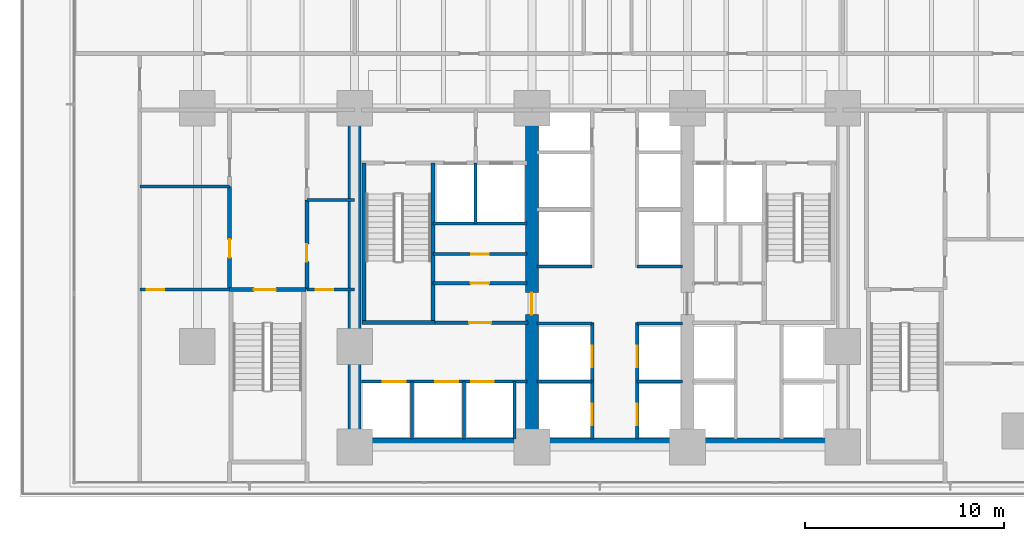
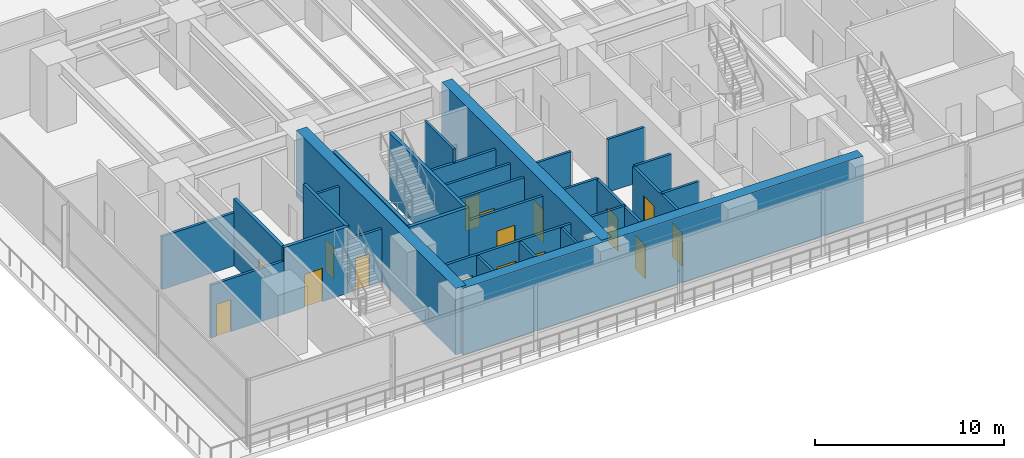
# One storey, part 10 of 26: 30 walls, 16 doors, 16 openings.
"""IFC4 building model written with IfcOpenShell, lengths in metres."""

from ifc_helpers import new_model, si_unit, direction, frame, frame_2d, origin, place, context, subcontext, project, spatial, rectangle, extrude, material, layer, layer_set, type_object, element, fill, save


model = new_model("IFC4")

# Units and contexts
model_context = context("Model", 3, precision=1e-05, world=origin(), true_north=direction((0.0, 1.0)))
body_context = subcontext(model_context, "Body", "Model", "MODEL_VIEW")
ifc_project = project(units=[si_unit("LENGTHUNIT", "METRE"), si_unit("AREAUNIT", "SQUARE_METRE"), si_unit("VOLUMEUNIT", "CUBIC_METRE"), si_unit("PLANEANGLEUNIT", "RADIAN"), si_unit("MASSUNIT", "GRAM", prefix="KILO")], contexts=[model_context])

# Site, building, storey
site_placement = place(None, origin())
site = spatial("IfcSite", under=ifc_project, at=site_placement, CompositionType="ELEMENT")
building_placement = place(site_placement, origin())
building = spatial("IfcBuilding", under=site, at=building_placement, Name="Qalmaran Belvedere Hotel", CompositionType="ELEMENT")
storey_placement = place(building_placement, frame((0.0, 0.0, 19.199951171875)))
storey = spatial("IfcBuildingStorey", under=building, at=storey_placement, Name="L04", CompositionType="ELEMENT", Elevation=19.199951171875)

# Walls
ifc_material_1 = material(Name="Concrete C60/75", Category="concrete")
ifc_layer_1 = layer(ifc_material_1, 0.64990234375, Name="Concrete C60/75")
ifc_layer_set_1 = layer_set([ifc_layer_1], Name="Concrete C60/75")
wall_type_1 = type_object("IfcWallType", Name="WL-CORE-650-C60", PredefinedType="SHEAR", material=ifc_layer_set_1)
wall_1_placement = place(storey_placement, frame((20.300048828125, 3.6298828125, 0.0), z_axis=(0.0, 0.0, 1.0), x_axis=(1.0, 0.0, 0.0)))
element("IfcWall", 1, at=wall_1_placement, inside=storey, type_object=wall_type_1, Name="L04 South Core Shear Wall", PredefinedType="SHEAR", context=body_context, shape_type="SweptSolid", body=[
    extrude(rectangle(XDim=24.5, YDim=0.64990234375, at=frame_2d((12.25, 0.0))), origin(), (0.0, 0.0, 1.0), 4.300048828125),
])
wall_2_placement = place(storey_placement, frame((20.300048828125, 3.5, 0.0), z_axis=(0.0, 0.0, 1.0), x_axis=(0.0, 1.0, 0.0)))
element("IfcWall", 2, at=wall_2_placement, inside=storey, type_object=wall_type_1, Name="L04 West Core Shear Wall", PredefinedType="SHEAR", context=body_context, shape_type="SweptSolid", body=[
    extrude(rectangle(XDim=16.89990234375, YDim=0.64990234375, at=frame_2d((8.449951171875, 0.0))), origin(), (0.0, 0.0, 1.0), 4.300048828125),
])

# Wall, opening, door
wall_3_placement = place(storey_placement, frame((29.199951171875, 3.5, 0.0), z_axis=(0.0, 0.0, 1.0), x_axis=(0.0, 1.0, 0.0)))
wall_3 = element("IfcWall", 3, at=wall_3_placement, inside=storey, type_object=wall_type_1, Name="L04 Core West Spine Shear Wall", PredefinedType="SHEAR", context=body_context, shape_type="SweptSolid", body=[
    extrude(rectangle(XDim=16.89990234375, YDim=0.64990234375, at=frame_2d((8.449951171875, 0.0))), origin(), (0.0, 0.0, 1.0), 4.300048828125),
])
opening_1_placement = place(wall_3_placement, frame((7.75, 0.0, 0.0), z_axis=(0.0, 0.0, 1.0), x_axis=(-1.0, 0.0, 0.0)))
opening_1 = element("IfcOpeningElement", 4, at=opening_1_placement, cuts=wall_3, Name="Opening FD90", PredefinedType="OPENING", context=body_context, shape_type="SweptSolid", body=[
    extrude(rectangle(XDim=1.10009765625, YDim=2.14990234375, at=frame_2d((0.550048828125, 1.074951171875))), frame((0.0, 0.3349609375, 0.0), z_axis=(0.0, -1.0, 0.0), x_axis=(1.0, 0.0, 0.0)), (0.0, 0.0, 1.0), 0.669921875),
])
ifc_material_2 = material(Name="Steel S355JR", Category="steel")
door_type_1 = type_object("IfcDoorType", Name="DR-FD90-1100X2150", OperationType="NOTDEFINED", PredefinedType="DOOR", material=ifc_material_2)
door_1_placement = place(opening_1_placement, origin())
door_1 = element("IfcDoor", 5, at=door_1_placement, inside=storey, type_object=door_type_1, Name="L04 Core West Cross-Lobby Door", OperationType="SINGLE_SWING_RIGHT", OverallHeight=2.14990234375, OverallWidth=1.10009765625, PredefinedType="DOOR", context=body_context, shape_type="SweptSolid", body=[
    extrude(rectangle(XDim=1.10009765625, YDim=2.14990234375, at=frame_2d((0.550048828125, 1.074951171875))), frame((0.0, 0.02490234375, 0.0), z_axis=(0.0, -1.0, 0.0), x_axis=(1.0, 0.0, 0.0)), (0.0, 0.0, 1.0), 0.050048828125),
])
fill(opening_1, door_1)

# Walls
ifc_material_3 = material(Name="Gypsum Stud Partition")
ifc_layer_2 = layer(ifc_material_3, 0.139892578125, Name="Gypsum Stud Partition")
ifc_layer_set_2 = layer_set([ifc_layer_2], Name="Gypsum Stud Partition")
wall_type_2 = type_object("IfcWallType", Name="WL-INT-140-NR", PredefinedType="PARTITIONING", material=ifc_layer_set_2)
wall_4_placement = place(storey_placement, frame((17.89990234375, 15.89990234375, 0.0), z_axis=(0.0, 0.0, 1.0), x_axis=(1.0, 0.0, 0.0)))
element("IfcWall", 6, at=wall_4_placement, inside=storey, type_object=wall_type_2, Name="L04 Partition WL-L04-SFGH2", PredefinedType="PARTITIONING", context=body_context, shape_type="SweptSolid", body=[
    extrude(rectangle(XDim=2.400146484375, YDim=0.139892578125, at=frame_2d((1.2001953125, 0.0))), origin(), (0.0, 0.0, 1.0), 3.429931640625),
])
ifc_layer_3 = layer(ifc_material_3, 0.14990234375, Name="Gypsum Stud Partition")
ifc_layer_set_3 = layer_set([ifc_layer_3], Name="Gypsum Stud Partition")
wall_type_3 = type_object("IfcWallType", Name="WL-INT-150-EI120", PredefinedType="PARTITIONING", material=ifc_layer_set_3)
wall_5_placement = place(storey_placement, frame((26.360107421875, 14.719970703125, 0.0), z_axis=(0.0, 0.0, 1.0), x_axis=(0.0, 1.0, 0.0)))
element("IfcWall", 7, at=wall_5_placement, inside=storey, type_object=wall_type_3, Name="L04 Partition WL-FF1M-L04", PredefinedType="PARTITIONING", context=body_context, shape_type="SweptSolid", body=[
    extrude(rectangle(XDim=3.0400390625, YDim=0.14990234375, at=frame_2d((1.52001953125, 0.0))), origin(), (0.0, 0.0, 1.0), 4.300048828125),
])
for number, where, z_axis, x_axis, name in (
    (8, (23.179931640625, 3.89990234375, 0.0), (0.0, 0.0, 1.0), (0.0, 1.0, 0.0), "L04 Partition WL-POM1-L04"),
    (9, (25.780029296875, 3.89990234375, 0.0), (0.0, 0.0, 1.0), (0.0, 1.0, 0.0), "L04 Partition WL-POM2-L04"),
    (10, (28.320068359375, 3.89990234375, 0.0), (0.0, 0.0, 1.0), (0.0, 1.0, 0.0), "L04 Partition WL-POM3-L04"),
):
    element("IfcWall", number, at=place(storey_placement, frame(where, z_axis=z_axis, x_axis=x_axis)), inside=storey, type_object=wall_type_3, Name=name, PredefinedType="PARTITIONING", context=body_context, shape_type="SweptSolid", body=[
        extrude(rectangle(XDim=2.880126953125, YDim=0.14990234375, at=frame_2d((1.43994140625, 0.0))), origin(), (0.0, 0.0, 1.0), 3.373046875),
    ])
wall_6_placement = place(storey_placement, frame((29.449951171875, 6.780029296875, 0.0), z_axis=(0.0, 0.0, 1.0), x_axis=(1.0, 0.0, 0.0)))
element("IfcWall", 11, at=wall_6_placement, inside=storey, type_object=wall_type_3, Name="L04 Partition WL-PLW-L04-67", PredefinedType="PARTITIONING", context=body_context, shape_type="SweptSolid", body=[
    extrude(rectangle(XDim=2.77001953125, YDim=0.14990234375, at=frame_2d((1.385009765625, 0.0))), origin(), (0.0, 0.0, 1.0), 3.429931640625),
])
wall_7_placement = place(storey_placement, frame((34.47998046875, 6.780029296875, 0.0), z_axis=(0.0, 0.0, 1.0), x_axis=(1.0, 0.0, 0.0)))
element("IfcWall", 12, at=wall_7_placement, inside=storey, type_object=wall_type_3, Name="L04 Partition WL-PLE-L04-67", PredefinedType="PARTITIONING", context=body_context, shape_type="SweptSolid", body=[
    extrude(rectangle(XDim=2.27001953125, YDim=0.14990234375, at=frame_2d((1.135009765625, 0.0))), origin(), (0.0, 0.0, 1.0), 3.429931640625),
])
wall_8_placement = place(storey_placement, frame((29.449951171875, 9.699951171875, 0.0), z_axis=(0.0, 0.0, 1.0), x_axis=(1.0, 0.0, 0.0)))
element("IfcWall", 13, at=wall_8_placement, inside=storey, type_object=wall_type_3, Name="L04 Partition WL-PLW-L04-97", PredefinedType="PARTITIONING", context=body_context, shape_type="SweptSolid", body=[
    extrude(rectangle(XDim=2.77001953125, YDim=0.14990234375, at=frame_2d((1.385009765625, 0.0))), origin(), (0.0, 0.0, 1.0), 3.429931640625),
])
wall_9_placement = place(storey_placement, frame((34.47998046875, 9.699951171875, 0.0), z_axis=(0.0, 0.0, 1.0), x_axis=(1.0, 0.0, 0.0)))
element("IfcWall", 14, at=wall_9_placement, inside=storey, type_object=wall_type_3, Name="L04 Partition WL-PLE-L04-97", PredefinedType="PARTITIONING", context=body_context, shape_type="SweptSolid", body=[
    extrude(rectangle(XDim=2.27001953125, YDim=0.14990234375, at=frame_2d((1.135009765625, 0.0))), origin(), (0.0, 0.0, 1.0), 3.429931640625),
])
wall_10_placement = place(storey_placement, frame((29.449951171875, 12.550048828125, 0.0), z_axis=(0.0, 0.0, 1.0), x_axis=(1.0, 0.0, 0.0)))
element("IfcWall", 15, at=wall_10_placement, inside=storey, type_object=wall_type_3, Name="L04 Partition WL-PMW-L04-125", PredefinedType="PARTITIONING", context=body_context, shape_type="SweptSolid", body=[
    extrude(rectangle(XDim=2.77001953125, YDim=0.14990234375, at=frame_2d((1.385009765625, 0.0))), origin(), (0.0, 0.0, 1.0), 3.429931640625),
])
wall_11_placement = place(storey_placement, frame((34.47998046875, 12.550048828125, 0.0), z_axis=(0.0, 0.0, 1.0), x_axis=(1.0, 0.0, 0.0)))
element("IfcWall", 16, at=wall_11_placement, inside=storey, type_object=wall_type_3, Name="L04 Partition WL-PME-L04-125", PredefinedType="PARTITIONING", context=body_context, shape_type="SweptSolid", body=[
    extrude(rectangle(XDim=2.27001953125, YDim=0.14990234375, at=frame_2d((1.135009765625, 0.0))), origin(), (0.0, 0.0, 1.0), 3.429931640625),
])

# Wall, opening, door
ifc_layer_4 = layer(ifc_material_3, 0.14990234375, Name="Gypsum Stud Partition")
ifc_layer_set_4 = layer_set([ifc_layer_4], Name="Gypsum Stud Partition")
wall_type_4 = type_object("IfcWallType", Name="WL-INT-150-EI60", PredefinedType="PARTITIONING", material=ifc_layer_set_4)
wall_12_placement = place(storey_placement, frame((24.219970703125, 13.18505859375, 0.0), z_axis=(0.0, 0.0, 1.0), x_axis=(1.0, 0.0, 0.0)))
wall_12 = element("IfcWall", 17, at=wall_12_placement, inside=storey, type_object=wall_type_4, Name="L04 Partition WL-L04-KWHM", PredefinedType="PARTITIONING", context=body_context, shape_type="SweptSolid", body=[
    extrude(rectangle(XDim=4.72998046875, YDim=0.14990234375, at=frame_2d((2.364990234375, 0.0))), origin(), (0.0, 0.0, 1.0), 3.429931640625),
])
opening_2_placement = place(wall_12_placement, frame((1.925048828125, 0.0, 0.0)))
opening_2 = element("IfcOpeningElement", 18, at=opening_2_placement, cuts=wall_12, Name="Opening FD60B", PredefinedType="OPENING", context=body_context, shape_type="SweptSolid", body=[
    extrude(rectangle(XDim=0.8798828125, YDim=2.080078125, at=frame_2d((0.43994140625, 1.0400390625))), frame((0.0, 0.0849609375, 0.0), z_axis=(0.0, -1.0, 0.0), x_axis=(1.0, 0.0, 0.0)), (0.0, 0.0, 1.0), 0.169921875),
])
door_type_2 = type_object("IfcDoorType", Name="DR-FD60B-880X2080", OperationType="NOTDEFINED", PredefinedType="DOOR", material=ifc_material_2)
door_2_placement = place(opening_2_placement, origin())
door_2 = element("IfcDoor", 19, at=door_2_placement, inside=storey, type_object=door_type_2, Name="L04 Staff Core WC Door", OperationType="SINGLE_SWING_RIGHT", OverallHeight=2.080078125, OverallWidth=0.8798828125, PredefinedType="DOOR", context=body_context, shape_type="SweptSolid", body=[
    extrude(rectangle(XDim=0.8798828125, YDim=2.080078125, at=frame_2d((0.43994140625, 1.0400390625))), frame((0.0, 0.02490234375, 0.0), z_axis=(0.0, -1.0, 0.0), x_axis=(1.0, 0.0, 0.0)), (0.0, 0.0, 1.0), 0.050048828125),
])
fill(opening_2, door_2)

# Wall
ifc_layer_5 = layer(ifc_material_3, 0.159912109375, Name="Gypsum Stud Partition")
ifc_layer_set_5 = layer_set([ifc_layer_5], Name="Gypsum Stud Partition")
wall_type_5 = type_object("IfcWallType", Name="WL-INT-160-EI120", PredefinedType="PARTITIONING", material=ifc_layer_set_5)
wall_13_placement = place(storey_placement, frame((24.219970703125, 14.719970703125, 0.0), z_axis=(0.0, 0.0, 1.0), x_axis=(1.0, 0.0, 0.0)))
element("IfcWall", 20, at=wall_13_placement, inside=storey, type_object=wall_type_5, Name="L04 Partition WL-FF1S-L04", PredefinedType="PARTITIONING", context=body_context, shape_type="SweptSolid", body=[
    extrude(rectangle(XDim=4.72998046875, YDim=0.159912109375, at=frame_2d((2.364990234375, 0.0))), origin(), (0.0, 0.0, 1.0), 3.429931640625),
])

# Wall, openings, doors
wall_14_placement = place(storey_placement, frame((20.64990234375, 6.780029296875, 0.0), z_axis=(0.0, 0.0, 1.0), x_axis=(1.0, 0.0, 0.0)))
wall_14 = element("IfcWall", 21, at=wall_14_placement, inside=storey, type_object=wall_type_5, Name="L04 Partition WL-POS-L04", PredefinedType="PARTITIONING", context=body_context, shape_type="SweptSolid", body=[
    extrude(rectangle(XDim=8.300048828125, YDim=0.159912109375, at=frame_2d((4.14990234375, 0.0))), origin(), (0.0, 0.0, 1.0), 3.429931640625),
])
opening_3_placement = place(wall_14_placement, frame((3.69482421875, 0.0, 0.0)))
opening_3 = element("IfcOpeningElement", 22, at=opening_3_placement, cuts=wall_14, Name="Opening LD-PO", PredefinedType="OPENING", context=body_context, shape_type="SweptSolid", body=[
    extrude(rectangle(XDim=1.14990234375, YDim=2.199951171875, at=frame_2d((0.574951171875, 1.10009765625))), frame((0.0, 0.08984375, 0.0), z_axis=(0.0, -1.0, 0.0), x_axis=(1.0, 0.0, 0.0)), (0.0, 0.0, 1.0), 0.179931640625),
])
opening_4_placement = place(wall_14_placement, frame((5.4921875, 0.0, 0.0)))
opening_4 = element("IfcOpeningElement", 23, at=opening_4_placement, cuts=wall_14, Name="Opening LD-PO", PredefinedType="OPENING", context=body_context, shape_type="SweptSolid", body=[
    extrude(rectangle(XDim=1.14990234375, YDim=2.199951171875, at=frame_2d((0.574951171875, 1.10009765625))), frame((0.0, 0.08984375, 0.0), z_axis=(0.0, -1.0, 0.0), x_axis=(1.0, 0.0, 0.0)), (0.0, 0.0, 1.0), 0.179931640625),
])
opening_5_placement = place(wall_14_placement, frame((1.058837890625, 0.0, 0.0)))
opening_5 = element("IfcOpeningElement", 24, at=opening_5_placement, cuts=wall_14, Name="Opening LD-PO", PredefinedType="OPENING", context=body_context, shape_type="SweptSolid", body=[
    extrude(rectangle(XDim=1.14990234375, YDim=2.199951171875, at=frame_2d((0.574951171875, 1.10009765625))), frame((0.0, 0.08984375, 0.0), z_axis=(0.0, -1.0, 0.0), x_axis=(1.0, 0.0, 0.0)), (0.0, 0.0, 1.0), 0.179931640625),
])
ifc_material_4 = material(Name="Anodised Bronze Aluminium", Category="aluminium")
door_type_3 = type_object("IfcDoorType", Name="DR-LIFT-PO-1150X2200", OperationType="DOUBLE_DOOR_SLIDING", PredefinedType="DOOR", material=ifc_material_4)
door_3_placement = place(opening_3_placement, origin())
door_3 = element("IfcDoor", 25, at=door_3_placement, inside=storey, type_object=door_type_3, Name="L04 PO1 Shuttle Landing Door", OperationType="DOUBLE_DOOR_SLIDING", OverallHeight=2.199951171875, OverallWidth=1.14990234375, PredefinedType="DOOR", context=body_context, shape_type="SweptSolid", body=[
    extrude(rectangle(XDim=1.14990234375, YDim=2.199951171875, at=frame_2d((0.574951171875, 1.10009765625))), frame((0.0, 0.02490234375, 0.0), z_axis=(0.0, -1.0, 0.0), x_axis=(1.0, 0.0, 0.0)), (0.0, 0.0, 1.0), 0.050048828125),
])
fill(opening_3, door_3)
door_4_placement = place(opening_4_placement, origin())
door_4 = element("IfcDoor", 26, at=door_4_placement, inside=storey, type_object=door_type_3, Name="L04 PO2 Shuttle Landing Door", OperationType="DOUBLE_DOOR_SLIDING", OverallHeight=2.199951171875, OverallWidth=1.14990234375, PredefinedType="DOOR", context=body_context, shape_type="SweptSolid", body=[
    extrude(rectangle(XDim=1.14990234375, YDim=2.199951171875, at=frame_2d((0.574951171875, 1.10009765625))), frame((0.0, 0.02490234375, 0.0), z_axis=(0.0, -1.0, 0.0), x_axis=(1.0, 0.0, 0.0)), (0.0, 0.0, 1.0), 0.050048828125),
])
fill(opening_4, door_4)
door_5_placement = place(opening_5_placement, origin())
door_5 = element("IfcDoor", 27, at=door_5_placement, inside=storey, type_object=door_type_3, Name="L04 PO3 Shuttle Landing Door", OperationType="DOUBLE_DOOR_SLIDING", OverallHeight=2.199951171875, OverallWidth=1.14990234375, PredefinedType="DOOR", context=body_context, shape_type="SweptSolid", body=[
    extrude(rectangle(XDim=1.14990234375, YDim=2.199951171875, at=frame_2d((0.574951171875, 1.10009765625))), frame((0.0, 0.02490234375, 0.0), z_axis=(0.0, -1.0, 0.0), x_axis=(1.0, 0.0, 0.0)), (0.0, 0.0, 1.0), 0.050048828125),
])
fill(opening_5, door_5)

# Wall, opening, door
wall_15_placement = place(storey_placement, frame((24.199951171875, 9.739990234375, 0.0), z_axis=(0.0, 0.0, 1.0), x_axis=(1.0, 0.0, 0.0)))
wall_15 = element("IfcWall", 28, at=wall_15_placement, inside=storey, type_object=wall_type_5, Name="L04 Partition WL-PON-L04", PredefinedType="PARTITIONING", context=body_context, shape_type="SweptSolid", body=[
    extrude(rectangle(XDim=4.800048828125, YDim=0.159912109375, at=frame_2d((2.39990234375, 0.0))), origin(), (0.0, 0.0, 1.0), 3.429931640625),
])
opening_6_placement = place(wall_15_placement, frame((1.85009765625, 0.0, 0.0)))
opening_6 = element("IfcOpeningElement", 29, at=opening_6_placement, cuts=wall_15, Name="Opening FD90", PredefinedType="OPENING", context=body_context, shape_type="SweptSolid", body=[
    extrude(rectangle(XDim=1.10009765625, YDim=2.14990234375, at=frame_2d((0.550048828125, 1.074951171875))), frame((0.0, 0.08984375, 0.0), z_axis=(0.0, -1.0, 0.0), x_axis=(1.0, 0.0, 0.0)), (0.0, 0.0, 1.0), 0.179931640625),
])
door_6_placement = place(opening_6_placement, origin())
door_6 = element("IfcDoor", 30, at=door_6_placement, inside=storey, type_object=door_type_1, Name="L04 Shuttle Lobby Passage Door", OperationType="SINGLE_SWING_RIGHT", OverallHeight=2.14990234375, OverallWidth=1.10009765625, PredefinedType="DOOR", context=body_context, shape_type="SweptSolid", body=[
    extrude(rectangle(XDim=1.10009765625, YDim=2.14990234375, at=frame_2d((0.550048828125, 1.074951171875))), frame((0.0, 0.02490234375, 0.0), z_axis=(0.0, -1.0, 0.0), x_axis=(1.0, 0.0, 0.0)), (0.0, 0.0, 1.0), 0.050048828125),
])
fill(opening_6, door_6)

# Wall, openings, doors
wall_16_placement = place(storey_placement, frame((32.219970703125, 3.89990234375, 0.0), z_axis=(0.0, 0.0, 1.0), x_axis=(0.0, 1.0, 0.0)))
wall_16 = element("IfcWall", 31, at=wall_16_placement, inside=storey, type_object=wall_type_5, Name="L04 Partition WL-CLBWS-L04", PredefinedType="PARTITIONING", context=body_context, shape_type="SweptSolid", body=[
    extrude(rectangle(XDim=5.840087890625, YDim=0.159912109375, at=frame_2d((2.919921875, 0.0))), origin(), (0.0, 0.0, 1.0), 3.373046875),
])
opening_7_placement = place(wall_16_placement, frame((1.780029296875, 0.0, 0.0), z_axis=(0.0, 0.0, 1.0), x_axis=(-1.0, 0.0, 0.0)))
opening_7 = element("IfcOpeningElement", 32, at=opening_7_placement, cuts=wall_16, Name="Opening LD-P1", PredefinedType="OPENING", context=body_context, shape_type="SweptSolid", body=[
    extrude(rectangle(XDim=1.080078125, YDim=2.159912109375, at=frame_2d((0.5400390625, 1.080078125))), frame((0.0, 0.08984375, 0.0), z_axis=(0.0, -1.0, 0.0), x_axis=(1.0, 0.0, 0.0)), (0.0, 0.0, 1.0), 0.179931640625),
])
opening_8_placement = place(wall_16_placement, frame((4.68017578125, 0.0, 0.0), z_axis=(0.0, 0.0, 1.0), x_axis=(-1.0, 0.0, 0.0)))
opening_8 = element("IfcOpeningElement", 33, at=opening_8_placement, cuts=wall_16, Name="Opening LD-P1", PredefinedType="OPENING", context=body_context, shape_type="SweptSolid", body=[
    extrude(rectangle(XDim=1.080078125, YDim=2.159912109375, at=frame_2d((0.5400390625, 1.080078125))), frame((0.0, 0.08984375, 0.0), z_axis=(0.0, -1.0, 0.0), x_axis=(1.0, 0.0, 0.0)), (0.0, 0.0, 1.0), 0.179931640625),
])
ifc_material_5 = material(Name="Stainless Steel 1.4401", Category="steel")
door_type_4 = type_object("IfcDoorType", Name="DR-LIFT-P1-1080X2160", OperationType="DOUBLE_DOOR_SLIDING", PredefinedType="DOOR", material=ifc_material_5)
door_7_placement = place(opening_7_placement, origin())
door_7 = element("IfcDoor", 34, at=door_7_placement, inside=storey, type_object=door_type_4, Name="L04 PL1 Lift Landing Door", OperationType="DOUBLE_DOOR_SLIDING", OverallHeight=2.159912109375, OverallWidth=1.080078125, PredefinedType="DOOR", context=body_context, shape_type="SweptSolid", body=[
    extrude(rectangle(XDim=1.080078125, YDim=2.159912109375, at=frame_2d((0.5400390625, 1.080078125))), frame((0.0, 0.02490234375, 0.0), z_axis=(0.0, -1.0, 0.0), x_axis=(1.0, 0.0, 0.0)), (0.0, 0.0, 1.0), 0.050048828125),
])
fill(opening_7, door_7)
door_8_placement = place(opening_8_placement, origin())
door_8 = element("IfcDoor", 35, at=door_8_placement, inside=storey, type_object=door_type_4, Name="L04 PL2 Lift Landing Door", OperationType="DOUBLE_DOOR_SLIDING", OverallHeight=2.159912109375, OverallWidth=1.080078125, PredefinedType="DOOR", context=body_context, shape_type="SweptSolid", body=[
    extrude(rectangle(XDim=1.080078125, YDim=2.159912109375, at=frame_2d((0.5400390625, 1.080078125))), frame((0.0, 0.02490234375, 0.0), z_axis=(0.0, -1.0, 0.0), x_axis=(1.0, 0.0, 0.0)), (0.0, 0.0, 1.0), 0.050048828125),
])
fill(opening_8, door_8)

wall_17_placement = place(storey_placement, frame((34.47998046875, 3.89990234375, 0.0), z_axis=(0.0, 0.0, 1.0), x_axis=(0.0, 1.0, 0.0)))
wall_17 = element("IfcWall", 36, at=wall_17_placement, inside=storey, type_object=wall_type_5, Name="L04 Partition WL-CLBES-L04", PredefinedType="PARTITIONING", context=body_context, shape_type="SweptSolid", body=[
    extrude(rectangle(XDim=5.840087890625, YDim=0.159912109375, at=frame_2d((2.919921875, 0.0))), origin(), (0.0, 0.0, 1.0), 3.373046875),
])
opening_9_placement = place(wall_17_placement, frame((0.699951171875, 0.0, 0.0)))
opening_9 = element("IfcOpeningElement", 37, at=opening_9_placement, cuts=wall_17, Name="Opening LD-P1", PredefinedType="OPENING", context=body_context, shape_type="SweptSolid", body=[
    extrude(rectangle(XDim=1.080078125, YDim=2.159912109375, at=frame_2d((0.5400390625, 1.080078125))), frame((0.0, 0.08984375, 0.0), z_axis=(0.0, -1.0, 0.0), x_axis=(1.0, 0.0, 0.0)), (0.0, 0.0, 1.0), 0.179931640625),
])
opening_10_placement = place(wall_17_placement, frame((3.60009765625, 0.0, 0.0)))
opening_10 = element("IfcOpeningElement", 38, at=opening_10_placement, cuts=wall_17, Name="Opening LD-P1", PredefinedType="OPENING", context=body_context, shape_type="SweptSolid", body=[
    extrude(rectangle(XDim=1.080078125, YDim=2.159912109375, at=frame_2d((0.5400390625, 1.080078125))), frame((0.0, 0.08984375, 0.0), z_axis=(0.0, -1.0, 0.0), x_axis=(1.0, 0.0, 0.0)), (0.0, 0.0, 1.0), 0.179931640625),
])
door_9_placement = place(opening_9_placement, origin())
door_9 = element("IfcDoor", 39, at=door_9_placement, inside=storey, type_object=door_type_4, Name="L04 PL3 Lift Landing Door", OperationType="DOUBLE_DOOR_SLIDING", OverallHeight=2.159912109375, OverallWidth=1.080078125, PredefinedType="DOOR", context=body_context, shape_type="SweptSolid", body=[
    extrude(rectangle(XDim=1.080078125, YDim=2.159912109375, at=frame_2d((0.5400390625, 1.080078125))), frame((0.0, 0.02490234375, 0.0), z_axis=(0.0, -1.0, 0.0), x_axis=(1.0, 0.0, 0.0)), (0.0, 0.0, 1.0), 0.050048828125),
])
fill(opening_9, door_9)
door_10_placement = place(opening_10_placement, origin())
door_10 = element("IfcDoor", 40, at=door_10_placement, inside=storey, type_object=door_type_4, Name="L04 PL4 Lift Landing Door", OperationType="DOUBLE_DOOR_SLIDING", OverallHeight=2.159912109375, OverallWidth=1.080078125, PredefinedType="DOOR", context=body_context, shape_type="SweptSolid", body=[
    extrude(rectangle(XDim=1.080078125, YDim=2.159912109375, at=frame_2d((0.5400390625, 1.080078125))), frame((0.0, 0.02490234375, 0.0), z_axis=(0.0, -1.0, 0.0), x_axis=(1.0, 0.0, 0.0)), (0.0, 0.0, 1.0), 0.050048828125),
])
fill(opening_10, door_10)

# Wall, opening, door
ifc_layer_6 = layer(ifc_material_3, 0.159912109375, Name="Gypsum Stud Partition")
ifc_layer_set_6 = layer_set([ifc_layer_6], Name="Gypsum Stud Partition")
wall_type_6 = type_object("IfcWallType", Name="WL-INT-160-EI60", PredefinedType="PARTITIONING", material=ifc_layer_set_6)
wall_18_placement = place(storey_placement, frame((24.219970703125, 11.719970703125, 0.0), z_axis=(0.0, 0.0, 1.0), x_axis=(1.0, 0.0, 0.0)))
wall_18 = element("IfcWall", 41, at=wall_18_placement, inside=storey, type_object=wall_type_6, Name="L04 Partition WL-L04-KWE1", PredefinedType="PARTITIONING", context=body_context, shape_type="SweptSolid", body=[
    extrude(rectangle(XDim=4.72998046875, YDim=0.159912109375, at=frame_2d((2.364990234375, 0.0))), origin(), (0.0, 0.0, 1.0), 3.429931640625),
])
opening_11_placement = place(wall_18_placement, frame((1.905029296875, 0.0, 0.0)))
opening_11 = element("IfcOpeningElement", 42, at=opening_11_placement, cuts=wall_18, Name="Opening FD60S1", PredefinedType="OPENING", context=body_context, shape_type="SweptSolid", body=[
    extrude(rectangle(XDim=0.919921875, YDim=2.080078125, at=frame_2d((0.4599609375, 1.0400390625))), frame((0.0, 0.08984375, 0.0), z_axis=(0.0, -1.0, 0.0), x_axis=(1.0, 0.0, 0.0)), (0.0, 0.0, 1.0), 0.179931640625),
])
ifc_material_6 = material(Name="Engineered Oak Veneer")
door_type_5 = type_object("IfcDoorType", Name="DR-FD60S-920X2080", OperationType="NOTDEFINED", PredefinedType="DOOR", material=ifc_material_6)
door_11_placement = place(opening_11_placement, origin())
door_11 = element("IfcDoor", 43, at=door_11_placement, inside=storey, type_object=door_type_5, Name="L04 Cleaner Supply Store Door", OperationType="SINGLE_SWING_LEFT", OverallHeight=2.080078125, OverallWidth=0.919921875, PredefinedType="DOOR", context=body_context, shape_type="SweptSolid", body=[
    extrude(rectangle(XDim=0.919921875, YDim=2.080078125, at=frame_2d((0.4599609375, 1.0400390625))), frame((0.0, 0.02490234375, 0.0), z_axis=(0.0, -1.0, 0.0), x_axis=(1.0, 0.0, 0.0)), (0.0, 0.0, 1.0), 0.050048828125),
])
fill(opening_11, door_11)

# Wall
wall_19_placement = place(storey_placement, frame((9.52001953125, 16.580078125, 0.0), z_axis=(0.0, 0.0, 1.0), x_axis=(1.0, 0.0, 0.0)))
element("IfcWall", 44, at=wall_19_placement, inside=storey, type_object=wall_type_6, Name="L04 Partition WL-L04-WC2", PredefinedType="PARTITIONING", context=body_context, shape_type="SweptSolid", body=[
    extrude(rectangle(XDim=4.5, YDim=0.159912109375, at=frame_2d((2.25, 0.0))), origin(), (0.0, 0.0, 1.0), 3.429931640625),
])

# Wall, opening, door
wall_20_placement = place(storey_placement, frame((9.52001953125, 11.39990234375, 0.0), z_axis=(0.0, 0.0, 1.0), x_axis=(1.0, 0.0, 0.0)))
wall_20 = element("IfcWall", 45, at=wall_20_placement, inside=storey, type_object=wall_type_6, Name="L04 Partition WL-L04-WCS", PredefinedType="PARTITIONING", context=body_context, shape_type="SweptSolid", body=[
    extrude(rectangle(XDim=4.5, YDim=0.159912109375, at=frame_2d((2.25, 0.0))), origin(), (0.0, 0.0, 1.0), 3.429931640625),
])
opening_12_placement = place(wall_20_placement, frame((1.22998046875, 0.0, 0.0), z_axis=(0.0, 0.0, 1.0), x_axis=(-1.0, 0.0, 0.0)))
opening_12 = element("IfcOpeningElement", 46, at=opening_12_placement, cuts=wall_20, Name="Opening FD60B", PredefinedType="OPENING", context=body_context, shape_type="SweptSolid", body=[
    extrude(rectangle(XDim=0.8798828125, YDim=2.080078125, at=frame_2d((0.43994140625, 1.0400390625))), frame((0.0, 0.08984375, 0.0), z_axis=(0.0, -1.0, 0.0), x_axis=(1.0, 0.0, 0.0)), (0.0, 0.0, 1.0), 0.179931640625),
])
door_12_placement = place(opening_12_placement, origin())
door_12 = element("IfcDoor", 47, at=door_12_placement, inside=storey, type_object=door_type_2, Name="L04 South Cloakroom Door", OperationType="SINGLE_SWING_RIGHT", OverallHeight=2.080078125, OverallWidth=0.8798828125, PredefinedType="DOOR", context=body_context, shape_type="SweptSolid", body=[
    extrude(rectangle(XDim=0.8798828125, YDim=2.080078125, at=frame_2d((0.43994140625, 1.0400390625))), frame((0.0, 0.02490234375, 0.0), z_axis=(0.0, -1.0, 0.0), x_axis=(1.0, 0.0, 0.0)), (0.0, 0.0, 1.0), 0.050048828125),
])
fill(opening_12, door_12)

wall_21_placement = place(storey_placement, frame((17.89990234375, 11.39990234375, 0.0), z_axis=(0.0, 0.0, 1.0), x_axis=(1.0, 0.0, 0.0)))
wall_21 = element("IfcWall", 48, at=wall_21_placement, inside=storey, type_object=wall_type_6, Name="L04 Partition WL-L04-SFGH1", PredefinedType="PARTITIONING", context=body_context, shape_type="SweptSolid", body=[
    extrude(rectangle(XDim=2.400146484375, YDim=0.159912109375, at=frame_2d((1.2001953125, 0.0))), origin(), (0.0, 0.0, 1.0), 3.429931640625),
])
opening_13_placement = place(wall_21_placement, frame((1.329833984375, 0.0, 0.0), z_axis=(0.0, 0.0, 1.0), x_axis=(-1.0, 0.0, 0.0)))
opening_13 = element("IfcOpeningElement", 49, at=opening_13_placement, cuts=wall_21, Name="Opening FD60B", PredefinedType="OPENING", context=body_context, shape_type="SweptSolid", body=[
    extrude(rectangle(XDim=0.8798828125, YDim=2.080078125, at=frame_2d((0.43994140625, 1.0400390625))), frame((0.0, 0.08984375, 0.0), z_axis=(0.0, -1.0, 0.0), x_axis=(1.0, 0.0, 0.0)), (0.0, 0.0, 1.0), 0.179931640625),
])
door_13_placement = place(opening_13_placement, origin())
door_13 = element("IfcDoor", 50, at=door_13_placement, inside=storey, type_object=door_type_2, Name="L04 South Foyer Store Door", OperationType="SINGLE_SWING_LEFT", OverallHeight=2.080078125, OverallWidth=0.8798828125, PredefinedType="DOOR", context=body_context, shape_type="SweptSolid", body=[
    extrude(rectangle(XDim=0.8798828125, YDim=2.080078125, at=frame_2d((0.43994140625, 1.0400390625))), frame((0.0, 0.02490234375, 0.0), z_axis=(0.0, -1.0, 0.0), x_axis=(1.0, 0.0, 0.0)), (0.0, 0.0, 1.0), 0.050048828125),
])
fill(opening_13, door_13)

ifc_material_7 = material(Name="Concrete C30/37 Blockwork", Category="masonry")
ifc_layer_7 = layer(ifc_material_7, 0.199951171875, Name="Concrete C30/37 Blockwork")
ifc_layer_set_7 = layer_set([ifc_layer_7], Name="Concrete C30/37 Blockwork")
wall_type_7 = type_object("IfcWallType", Name="WL-INT-200-EI120", PredefinedType="PARTITIONING", material=ifc_layer_set_7)
wall_22_placement = place(storey_placement, frame((14.02001953125, 11.39990234375, 0.0), z_axis=(0.0, 0.0, 1.0), x_axis=(0.0, 1.0, 0.0)))
wall_22 = element("IfcWall", 51, at=wall_22_placement, inside=storey, type_object=wall_type_7, Name="L04 Partition WL-L04-STPWM", PredefinedType="PARTITIONING", context=body_context, shape_type="SweptSolid", body=[
    extrude(rectangle(XDim=5.18017578125, YDim=0.199951171875, at=frame_2d((2.590087890625, 0.0))), origin(), (0.0, 0.0, 1.0), 4.300048828125),
])
opening_14_placement = place(wall_22_placement, frame((1.60009765625, 0.0, 0.0)))
opening_14 = element("IfcOpeningElement", 52, at=opening_14_placement, cuts=wall_22, Name="Opening FD60S1", PredefinedType="OPENING", context=body_context, shape_type="SweptSolid", body=[
    extrude(rectangle(XDim=0.919921875, YDim=2.080078125, at=frame_2d((0.4599609375, 1.0400390625))), frame((0.0, 0.10986328125, 0.0), z_axis=(0.0, -1.0, 0.0), x_axis=(1.0, 0.0, 0.0)), (0.0, 0.0, 1.0), 0.219970703125),
])
door_14_placement = place(opening_14_placement, origin())
door_14 = element("IfcDoor", 53, at=door_14_placement, inside=storey, type_object=door_type_5, Name="L04 Catering Linen Store Door", OperationType="SINGLE_SWING_RIGHT", OverallHeight=2.080078125, OverallWidth=0.919921875, PredefinedType="DOOR", context=body_context, shape_type="SweptSolid", body=[
    extrude(rectangle(XDim=0.919921875, YDim=2.080078125, at=frame_2d((0.4599609375, 1.0400390625))), frame((0.0, 0.02490234375, 0.0), z_axis=(0.0, -1.0, 0.0), x_axis=(1.0, 0.0, 0.0)), (0.0, 0.0, 1.0), 0.050048828125),
])
fill(opening_14, door_14)

wall_23_placement = place(storey_placement, frame((17.89990234375, 11.39990234375, 0.0), z_axis=(0.0, 0.0, 1.0), x_axis=(0.0, 1.0, 0.0)))
wall_23 = element("IfcWall", 54, at=wall_23_placement, inside=storey, type_object=wall_type_7, Name="L04 Partition WL-L04-STPW2A", PredefinedType="PARTITIONING", context=body_context, shape_type="SweptSolid", body=[
    extrude(rectangle(XDim=4.5, YDim=0.199951171875, at=frame_2d((2.25, 0.0))), origin(), (0.0, 0.0, 1.0), 4.300048828125),
])
opening_15_placement = place(wall_23_placement, frame((2.27978515625, 0.0, 0.0), z_axis=(0.0, 0.0, 1.0), x_axis=(-1.0, 0.0, 0.0)))
opening_15 = element("IfcOpeningElement", 55, at=opening_15_placement, cuts=wall_23, Name="Opening FD60B", PredefinedType="OPENING", context=body_context, shape_type="SweptSolid", body=[
    extrude(rectangle(XDim=0.8798828125, YDim=2.080078125, at=frame_2d((0.43994140625, 1.0400390625))), frame((0.0, 0.10986328125, 0.0), z_axis=(0.0, -1.0, 0.0), x_axis=(1.0, 0.0, 0.0)), (0.0, 0.0, 1.0), 0.219970703125),
])
door_15_placement = place(opening_15_placement, origin())
door_15 = element("IfcDoor", 56, at=door_15_placement, inside=storey, type_object=door_type_2, Name="L04 Male WC Door", OperationType="SINGLE_SWING_LEFT", OverallHeight=2.080078125, OverallWidth=0.8798828125, PredefinedType="DOOR", context=body_context, shape_type="SweptSolid", body=[
    extrude(rectangle(XDim=0.8798828125, YDim=2.080078125, at=frame_2d((0.43994140625, 1.0400390625))), frame((0.0, 0.02490234375, 0.0), z_axis=(0.0, -1.0, 0.0), x_axis=(1.0, 0.0, 0.0)), (0.0, 0.0, 1.0), 0.050048828125),
])
fill(opening_15, door_15)

# Walls
ifc_material_8 = material(Name="Concrete C50/60", Category="concrete")
ifc_layer_8 = layer(ifc_material_8, 0.2099609375, Name="Concrete C50/60")
ifc_layer_set_8 = layer_set([ifc_layer_8], Name="Concrete C50/60")
wall_type_8 = type_object("IfcWallType", Name="WL-STAIR-210-C50", PredefinedType="SHEAR", material=ifc_layer_set_8)
for number, where, z_axis, x_axis, name in (
    (57, (20.77490234375, 9.7451171875, 0.0), (0.0, 0.0, 1.0), (0.0, 1.0, 0.0), "L04 Stair ST-1 West Bearing Wall"),
    (58, (24.22509765625, 9.7451171875, 0.0), (0.0, 0.0, 1.0), (0.0, 1.0, 0.0), "L04 Stair ST-1 East Bearing Wall"),
):
    element("IfcWall", number, at=place(storey_placement, frame(where, z_axis=z_axis, x_axis=x_axis)), inside=storey, type_object=wall_type_8, Name=name, PredefinedType="SHEAR", context=body_context, shape_type="SweptSolid", body=[
        extrude(rectangle(XDim=8.009765625, YDim=0.2099609375, at=frame_2d((4.0048828125, 0.0))), origin(), (0.0, 0.0, 1.0), 4.300048828125),
    ])
wall_24_placement = place(storey_placement, frame((20.669921875, 9.7451171875, 0.0), z_axis=(0.0, 0.0, 1.0), x_axis=(1.0, 0.0, 0.0)))
element("IfcWall", 59, at=wall_24_placement, inside=storey, type_object=wall_type_8, Name="L04 Stair ST-1 South Bearing Wall", PredefinedType="SHEAR", context=body_context, shape_type="SweptSolid", body=[
    extrude(rectangle(XDim=3.66015625, YDim=0.2099609375, at=frame_2d((1.830078125, 0.0))), origin(), (0.0, 0.0, 1.0), 4.300048828125),
])

# Wall, opening, door
wall_25_placement = place(storey_placement, frame((13.989990234375, 11.405029296875, 0.0), z_axis=(0.0, 0.0, 1.0), x_axis=(1.0, 0.0, 0.0)))
wall_25 = element("IfcWall", 60, at=wall_25_placement, inside=storey, type_object=wall_type_8, Name="L04 Podium Stair STP1 North Bearing Wall", PredefinedType="SHEAR", context=body_context, shape_type="SweptSolid", body=[
    extrude(rectangle(XDim=3.860107421875, YDim=0.2099609375, at=frame_2d((1.93017578125, 0.0))), origin(), (0.0, 0.0, 1.0), 4.300048828125),
])
opening_16_placement = place(wall_25_placement, frame((2.35009765625, 0.0, 0.0), z_axis=(0.0, 0.0, 1.0), x_axis=(-1.0, 0.0, 0.0)))
opening_16 = element("IfcOpeningElement", 61, at=opening_16_placement, cuts=wall_25, Name="Opening FD90", PredefinedType="OPENING", context=body_context, shape_type="SweptSolid", body=[
    extrude(rectangle(XDim=1.10009765625, YDim=2.14990234375, at=frame_2d((0.550048828125, 1.074951171875))), frame((0.0, 0.114990234375, 0.0), z_axis=(0.0, -1.0, 0.0), x_axis=(1.0, 0.0, 0.0)), (0.0, 0.0, 1.0), 0.22998046875),
])
door_16_placement = place(opening_16_placement, origin())
door_16 = element("IfcDoor", 62, at=door_16_placement, inside=storey, type_object=door_type_1, Name="L04 Stair ST-P1 Door", OperationType="SINGLE_SWING_RIGHT", OverallHeight=2.14990234375, OverallWidth=1.10009765625, PredefinedType="DOOR", context=body_context, shape_type="SweptSolid", body=[
    extrude(rectangle(XDim=1.10009765625, YDim=2.14990234375, at=frame_2d((0.550048828125, 1.074951171875))), frame((0.0, 0.02490234375, 0.0), z_axis=(0.0, -1.0, 0.0), x_axis=(1.0, 0.0, 0.0)), (0.0, 0.0, 1.0), 0.050048828125),
])
fill(opening_16, door_16)

save(model, "model.ifc")
